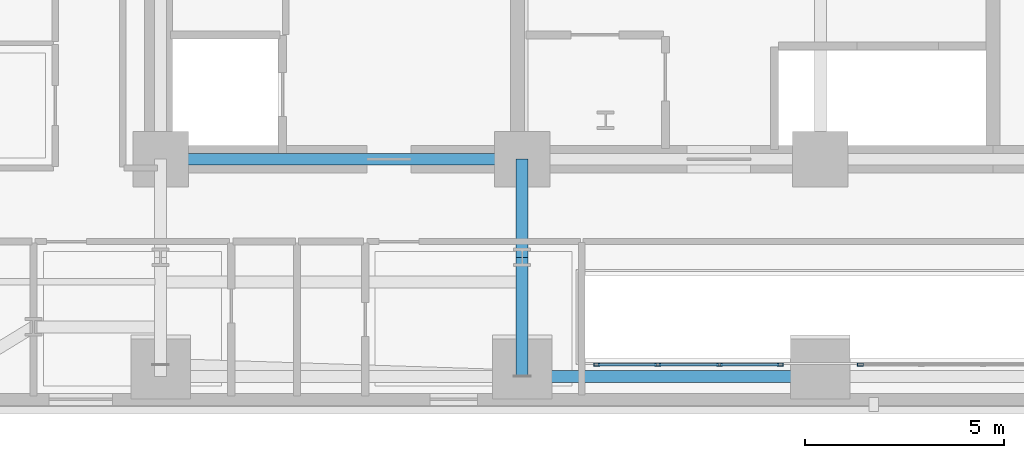
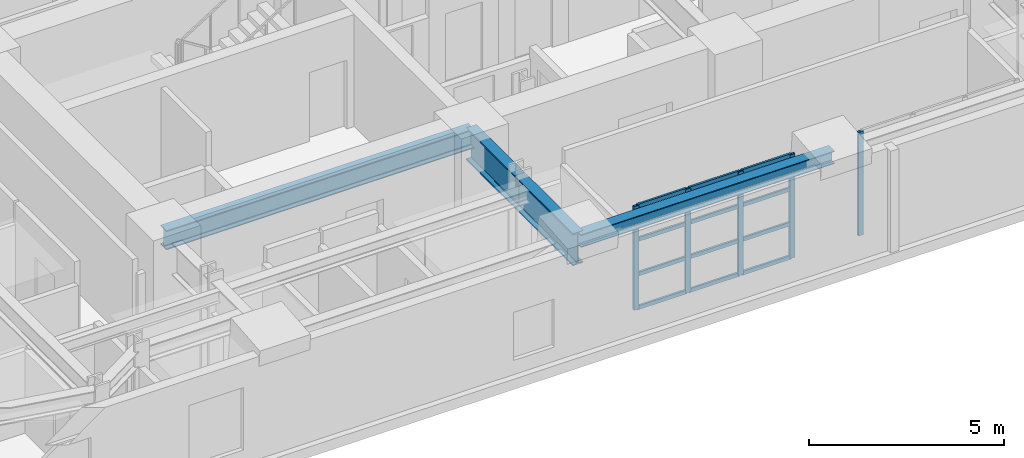
# One storey, part 2 of 16: 17 members, 4 beams, 2 elements without a shape of their own.
"""IFC4 building model written with IfcOpenShell, lengths in metres."""

from ifc_helpers import new_model, si_unit, direction, frame, origin, origin_2d, place, context, subcontext, project, spatial, hollow_rectangle, i_section, extrude, material, layer, layer_set, material_profile, profile_set, type_object, element, aggregate, save


model = new_model("IFC4")

# Units and contexts
model_context = context("Model", 3, precision=1e-05, world=origin(), true_north=direction((0.0, 1.0)))
body_context = subcontext(model_context, "Body", "Model", "MODEL_VIEW")
ifc_project = project(units=[si_unit("LENGTHUNIT", "METRE"), si_unit("AREAUNIT", "SQUARE_METRE"), si_unit("VOLUMEUNIT", "CUBIC_METRE"), si_unit("PLANEANGLEUNIT", "RADIAN"), si_unit("MASSUNIT", "GRAM", prefix="KILO")], contexts=[model_context])

# Site, building, storey
site_placement = place(None, origin())
site = spatial("IfcSite", under=ifc_project, at=site_placement, CompositionType="ELEMENT")
building_placement = place(site_placement, origin())
building = spatial("IfcBuilding", under=site, at=building_placement, Name="Zarnavel Station Tower", CompositionType="ELEMENT")
storey_placement = place(building_placement, frame((0.0, 0.0, 39.5)))
storey = spatial("IfcBuildingStorey", under=building, at=storey_placement, Name="L10", CompositionType="ELEMENT", Elevation=39.5)

# Curtain wall, members
ifc_material_1 = material(Name="Aluminium Dark Anodised and Solar-Control Glass", Category="aluminium")
ifc_layer = layer(ifc_material_1, 0.179931640625)
ifc_layer_set = layer_set([ifc_layer], Name="CWS2")
curtain_wall_type = type_object("IfcCurtainWallType", Name="CWS2", PredefinedType="NOTDEFINED", material=ifc_layer_set)
curtain_wall_1_placement = place(storey_placement, origin())
curtain_wall_1 = element("IfcCurtainWall", 1, at=curtain_wall_1_placement, inside=storey, type_object=curtain_wall_type, Name="L10 Curtain Wall CWS2-L10-AS-S1", PredefinedType="NOTDEFINED")
ifc_material_2 = material(Name="Steel S355J2 (Black Fluoropolymer Coated)", Category="steel")
ifc_material_profile_1 = material_profile(ifc_material_2, hollow_rectangle(XDim=0.074951171875, YDim=0.14990234375, WallThickness=0.00634765625, at=origin_2d()), Name="RHS150x75x6.3")
ifc_profile_set_1 = profile_set([ifc_material_profile_1], Name="Steel S355J2 (Black Fluoropolymer Coated)")
member_type_1 = type_object("IfcMemberType", Name="CWS2_MUL", PredefinedType="MULLION", material=ifc_profile_set_1)
member_1_placement = place(storey_placement, frame((23.179931640625, 22.64990234375, 0.0), z_axis=(0.0, 0.0, 1.0), x_axis=(0.0, 1.0, 0.0)))
member_1 = element("IfcMember", 2, at=member_1_placement, type_object=member_type_1, Name="CW2 mullion 1", PredefinedType="MULLION", context=body_context, shape_type="SweptSolid", body=[
    extrude(hollow_rectangle(XDim=0.074951171875, YDim=0.14990234375, WallThickness=0.00634765625, at=origin_2d()), origin(), (0.0, 0.0, 1.0), 3.239990234375),
])
member_2_placement = place(storey_placement, frame((24.706787109375, 22.64990234375, 0.0), z_axis=(0.0, 0.0, 1.0), x_axis=(0.0, 1.0, 0.0)))
member_2 = element("IfcMember", 3, at=member_2_placement, type_object=member_type_1, Name="CW2 mullion 2", PredefinedType="MULLION", context=body_context, shape_type="SweptSolid", body=[
    extrude(hollow_rectangle(XDim=0.074951171875, YDim=0.14990234375, WallThickness=0.00634765625, at=origin_2d()), origin(), (0.0, 0.0, 1.0), 3.239990234375),
])
member_3_placement = place(storey_placement, frame((26.263427734375, 22.64990234375, 0.0), z_axis=(0.0, 0.0, 1.0), x_axis=(0.0, 1.0, 0.0)))
member_3 = element("IfcMember", 4, at=member_3_placement, type_object=member_type_1, Name="CW2 mullion 3", PredefinedType="MULLION", context=body_context, shape_type="SweptSolid", body=[
    extrude(hollow_rectangle(XDim=0.074951171875, YDim=0.14990234375, WallThickness=0.00634765625, at=origin_2d()), origin(), (0.0, 0.0, 1.0), 3.239990234375),
])
member_4_placement = place(storey_placement, frame((27.7900390625, 22.64990234375, 0.0), z_axis=(0.0, 0.0, 1.0), x_axis=(0.0, 1.0, 0.0)))
member_4 = element("IfcMember", 5, at=member_4_placement, type_object=member_type_1, Name="CW2 mullion 4", PredefinedType="MULLION", context=body_context, shape_type="SweptSolid", body=[
    extrude(hollow_rectangle(XDim=0.074951171875, YDim=0.14990234375, WallThickness=0.00634765625, at=origin_2d()), origin(), (0.0, 0.0, 1.0), 3.239990234375),
])

# Curtain wall, member
curtain_wall_2_placement = place(storey_placement, origin())
curtain_wall_2 = element("IfcCurtainWall", 6, at=curtain_wall_2_placement, inside=storey, type_object=curtain_wall_type, Name="L10 Curtain Wall CWS2-L10-AS-S2", PredefinedType="NOTDEFINED")
member_5_placement = place(storey_placement, frame((29.81005859375, 22.64990234375, 0.0), z_axis=(0.0, 0.0, 1.0), x_axis=(0.0, 1.0, 0.0)))
member_5 = element("IfcMember", 7, at=member_5_placement, type_object=member_type_1, Name="CW2 mullion 1", PredefinedType="MULLION", context=body_context, shape_type="SweptSolid", body=[
    extrude(hollow_rectangle(XDim=0.074951171875, YDim=0.14990234375, WallThickness=0.00634765625, at=origin_2d()), origin(), (0.0, 0.0, 1.0), 3.239990234375),
])
aggregate(curtain_wall_2, [member_5])

# Member
ifc_material_3 = material(Name="Steel S355J2 (Black Fluoropolymer Coated)", Category="steel")
ifc_material_profile_2 = material_profile(ifc_material_3, hollow_rectangle(XDim=0.06005859375, YDim=0.1201171875, WallThickness=0.0048828125, at=origin_2d()), Name="RHS120x60x5")
ifc_profile_set_2 = profile_set([ifc_material_profile_2], Name="Steel S355J2 (Black Fluoropolymer Coated)")
member_type_2 = type_object("IfcMemberType", Name="CWS2_TRN", PredefinedType="USERDEFINED", material=ifc_profile_set_2)
member_6_placement = place(storey_placement, frame((23.2099609375, 22.64990234375, 0.030029296875), z_axis=(1.0, 0.0, 0.0), x_axis=(0.0, 1.0, 0.0)))
member_6 = element("IfcMember", 8, at=member_6_placement, type_object=member_type_2, Name="CW2 transom 1.1", ObjectType="TRANSOM", PredefinedType="USERDEFINED", context=body_context, shape_type="SweptSolid", body=[
    extrude(hollow_rectangle(XDim=0.06005859375, YDim=0.1201171875, WallThickness=0.0048828125, at=origin_2d()), origin(), (0.0, 0.0, 1.0), 1.466796875),
])

member_7_placement = place(storey_placement, frame((23.2099609375, 22.64990234375, 1.080078125), z_axis=(1.0, 0.0, 0.0), x_axis=(0.0, 1.0, 0.0)))
member_7 = element("IfcMember", 9, at=member_7_placement, type_object=member_type_2, Name="CW2 transom 1.2", ObjectType="TRANSOM", PredefinedType="USERDEFINED", context=body_context, shape_type="SweptSolid", body=[
    extrude(hollow_rectangle(XDim=0.06005859375, YDim=0.1201171875, WallThickness=0.0048828125, at=origin_2d()), origin(), (0.0, 0.0, 1.0), 1.466796875),
])

member_8_placement = place(storey_placement, frame((23.2099609375, 22.64990234375, 2.159912109375), z_axis=(1.0, 0.0, 0.0), x_axis=(0.0, 1.0, 0.0)))
member_8 = element("IfcMember", 10, at=member_8_placement, type_object=member_type_2, Name="CW2 transom 1.3", ObjectType="TRANSOM", PredefinedType="USERDEFINED", context=body_context, shape_type="SweptSolid", body=[
    extrude(hollow_rectangle(XDim=0.06005859375, YDim=0.1201171875, WallThickness=0.0048828125, at=origin_2d()), origin(), (0.0, 0.0, 1.0), 1.466796875),
])

member_9_placement = place(storey_placement, frame((23.2099609375, 22.64990234375, 3.2099609375), z_axis=(1.0, 0.0, 0.0), x_axis=(0.0, 1.0, 0.0)))
member_9 = element("IfcMember", 11, at=member_9_placement, type_object=member_type_2, Name="CW2 transom 1.4", ObjectType="TRANSOM", PredefinedType="USERDEFINED", context=body_context, shape_type="SweptSolid", body=[
    extrude(hollow_rectangle(XDim=0.06005859375, YDim=0.1201171875, WallThickness=0.0048828125, at=origin_2d()), origin(), (0.0, 0.0, 1.0), 1.466796875),
])

member_10_placement = place(storey_placement, frame((24.736572265625, 22.64990234375, 0.030029296875), z_axis=(1.0, 0.0, 0.0), x_axis=(0.0, 1.0, 0.0)))
member_10 = element("IfcMember", 12, at=member_10_placement, type_object=member_type_2, Name="CW2 transom 2.1", ObjectType="TRANSOM", PredefinedType="USERDEFINED", context=body_context, shape_type="SweptSolid", body=[
    extrude(hollow_rectangle(XDim=0.06005859375, YDim=0.1201171875, WallThickness=0.0048828125, at=origin_2d()), origin(), (0.0, 0.0, 1.0), 1.496826171875),
])

member_11_placement = place(storey_placement, frame((24.736572265625, 22.64990234375, 1.080078125), z_axis=(1.0, 0.0, 0.0), x_axis=(0.0, 1.0, 0.0)))
member_11 = element("IfcMember", 13, at=member_11_placement, type_object=member_type_2, Name="CW2 transom 2.2", ObjectType="TRANSOM", PredefinedType="USERDEFINED", context=body_context, shape_type="SweptSolid", body=[
    extrude(hollow_rectangle(XDim=0.06005859375, YDim=0.1201171875, WallThickness=0.0048828125, at=origin_2d()), origin(), (0.0, 0.0, 1.0), 1.496826171875),
])

member_12_placement = place(storey_placement, frame((24.736572265625, 22.64990234375, 2.159912109375), z_axis=(1.0, 0.0, 0.0), x_axis=(0.0, 1.0, 0.0)))
member_12 = element("IfcMember", 14, at=member_12_placement, type_object=member_type_2, Name="CW2 transom 2.3", ObjectType="TRANSOM", PredefinedType="USERDEFINED", context=body_context, shape_type="SweptSolid", body=[
    extrude(hollow_rectangle(XDim=0.06005859375, YDim=0.1201171875, WallThickness=0.0048828125, at=origin_2d()), origin(), (0.0, 0.0, 1.0), 1.496826171875),
])

member_13_placement = place(storey_placement, frame((24.736572265625, 22.64990234375, 3.2099609375), z_axis=(1.0, 0.0, 0.0), x_axis=(0.0, 1.0, 0.0)))
member_13 = element("IfcMember", 15, at=member_13_placement, type_object=member_type_2, Name="CW2 transom 2.4", ObjectType="TRANSOM", PredefinedType="USERDEFINED", context=body_context, shape_type="SweptSolid", body=[
    extrude(hollow_rectangle(XDim=0.06005859375, YDim=0.1201171875, WallThickness=0.0048828125, at=origin_2d()), origin(), (0.0, 0.0, 1.0), 1.496826171875),
])

member_14_placement = place(storey_placement, frame((26.293212890625, 22.64990234375, 0.030029296875), z_axis=(1.0, 0.0, 0.0), x_axis=(0.0, 1.0, 0.0)))
member_14 = element("IfcMember", 16, at=member_14_placement, type_object=member_type_2, Name="CW2 transom 3.1", ObjectType="TRANSOM", PredefinedType="USERDEFINED", context=body_context, shape_type="SweptSolid", body=[
    extrude(hollow_rectangle(XDim=0.06005859375, YDim=0.1201171875, WallThickness=0.0048828125, at=origin_2d()), origin(), (0.0, 0.0, 1.0), 1.466796875),
])

member_15_placement = place(storey_placement, frame((26.293212890625, 22.64990234375, 1.080078125), z_axis=(1.0, 0.0, 0.0), x_axis=(0.0, 1.0, 0.0)))
member_15 = element("IfcMember", 17, at=member_15_placement, type_object=member_type_2, Name="CW2 transom 3.2", ObjectType="TRANSOM", PredefinedType="USERDEFINED", context=body_context, shape_type="SweptSolid", body=[
    extrude(hollow_rectangle(XDim=0.06005859375, YDim=0.1201171875, WallThickness=0.0048828125, at=origin_2d()), origin(), (0.0, 0.0, 1.0), 1.466796875),
])

member_16_placement = place(storey_placement, frame((26.293212890625, 22.64990234375, 2.159912109375), z_axis=(1.0, 0.0, 0.0), x_axis=(0.0, 1.0, 0.0)))
member_16 = element("IfcMember", 18, at=member_16_placement, type_object=member_type_2, Name="CW2 transom 3.3", ObjectType="TRANSOM", PredefinedType="USERDEFINED", context=body_context, shape_type="SweptSolid", body=[
    extrude(hollow_rectangle(XDim=0.06005859375, YDim=0.1201171875, WallThickness=0.0048828125, at=origin_2d()), origin(), (0.0, 0.0, 1.0), 1.466796875),
])

member_17_placement = place(storey_placement, frame((26.293212890625, 22.64990234375, 3.2099609375), z_axis=(1.0, 0.0, 0.0), x_axis=(0.0, 1.0, 0.0)))
member_17 = element("IfcMember", 19, at=member_17_placement, type_object=member_type_2, Name="CW2 transom 3.4", ObjectType="TRANSOM", PredefinedType="USERDEFINED", context=body_context, shape_type="SweptSolid", body=[
    extrude(hollow_rectangle(XDim=0.06005859375, YDim=0.1201171875, WallThickness=0.0048828125, at=origin_2d()), origin(), (0.0, 0.0, 1.0), 1.466796875),
])

aggregate(curtain_wall_1, [member_1, member_2, member_3, member_4, member_6, member_7, member_8, member_9, member_10, member_11, member_12, member_13, member_14, member_15, member_16, member_17])

# Beams
ifc_material_4 = material(Name="Steel S355J2", Category="steel")
ifc_material_profile_3 = material_profile(ifc_material_4, i_section(OverallWidth=0.300048828125, OverallDepth=0.39990234375, WebThickness=0.013427734375, FlangeThickness=0.02392578125, FilletRadius=0.027099609375, at=origin_2d()), Name="HEB400")
ifc_profile_set_3 = profile_set([ifc_material_profile_3], Name="Steel S355J2")
beam_type_1 = type_object("IfcBeamType", Name="EB_HEB400", PredefinedType="SPANDREL", material=ifc_profile_set_3)
beam_1_placement = place(storey_placement, frame((21.300048828125, 22.35498046875, 3.0400390625), z_axis=(1.0, 0.0, 0.0), x_axis=(0.0, 1.0, 0.0)))
element("IfcBeam", 20, at=beam_1_placement, inside=storey, type_object=beam_type_1, Name="L10 South Raked Spandrel 2", PredefinedType="SPANDREL", context=body_context, shape_type="SweptSolid", body=[
    extrude(i_section(OverallWidth=0.300048828125, OverallDepth=0.39990234375, WebThickness=0.013427734375, FlangeThickness=0.02392578125, FilletRadius=0.027099609375, at=origin_2d()), origin(), (0.0, 0.0, 1.0), 7.5),
])
ifc_material_5 = material(Name="Steel S355J2", Category="steel")
ifc_material_profile_4 = material_profile(ifc_material_5, i_section(OverallWidth=0.300048828125, OverallDepth=0.60009765625, WebThickness=0.015380859375, FlangeThickness=0.030029296875, FilletRadius=0.027099609375, at=origin_2d()), Name="HEB600")
ifc_profile_set_4 = profile_set([ifc_material_profile_4], Name="Steel S355J2")
beam_type_2 = type_object("IfcBeamType", Name="FG_HEB600", PredefinedType="USERDEFINED", material=ifc_profile_set_4)
beam_2_placement = place(storey_placement, frame((12.199951171875, 27.820068359375, 2.93994140625), z_axis=(1.0, 0.0, 0.0), x_axis=(0.0, 1.0, 0.0)))
element("IfcBeam", 21, at=beam_2_placement, inside=storey, type_object=beam_type_2, Name="L10 Core Front Coupling Beam 1", ObjectType="GIRDER", PredefinedType="USERDEFINED", context=body_context, shape_type="SweptSolid", body=[
    extrude(i_section(OverallWidth=0.300048828125, OverallDepth=0.60009765625, WebThickness=0.015380859375, FlangeThickness=0.030029296875, FilletRadius=0.027099609375, at=origin_2d()), origin(), (0.0, 0.0, 1.0), 9.10009765625),
])
ifc_material_6 = material(Name="Steel S460M", Category="steel")
ifc_material_profile_5 = material_profile(ifc_material_6, i_section(OverallWidth=0.302001953125, OverallDepth=1.008056640625, WebThickness=0.02099609375, FlangeThickness=0.0400390625, FilletRadius=0.030029296875, at=origin_2d()), Name="HEM1000")
ifc_profile_set_5 = profile_set([ifc_material_profile_5], Name="Steel S460M")
beam_type_3 = type_object("IfcBeamType", Name="TG_HEM1000", PredefinedType="USERDEFINED", material=ifc_profile_set_5)
beam_3_placement = place(storey_placement, frame((21.300048828125, 22.35498046875, 2.736083984375), z_axis=(0.0, 1.0, 0.0), x_axis=(-1.0, 0.0, 0.0)))
element("IfcBeam", 22, at=beam_3_placement, inside=storey, type_object=beam_type_3, Name="L10 South-Zone NS Girder 2", ObjectType="GIRDER", PredefinedType="USERDEFINED", context=body_context, shape_type="SweptSolid", body=[
    extrude(i_section(OverallWidth=0.302001953125, OverallDepth=1.008056640625, WebThickness=0.02099609375, FlangeThickness=0.0400390625, FilletRadius=0.030029296875, at=origin_2d()), origin(), (0.0, 0.0, 1.0), 2.9951171875),
])
beam_4_placement = place(storey_placement, frame((21.300048828125, 25.35009765625, 2.736083984375), z_axis=(0.0, 1.0, 0.0), x_axis=(-1.0, 0.0, 0.0)))
element("IfcBeam", 23, at=beam_4_placement, inside=storey, type_object=beam_type_3, Name="L10 Inner-Zone NS Girder 2", ObjectType="GIRDER", PredefinedType="USERDEFINED", context=body_context, shape_type="SweptSolid", body=[
    extrude(i_section(OverallWidth=0.302001953125, OverallDepth=1.008056640625, WebThickness=0.02099609375, FlangeThickness=0.0400390625, FilletRadius=0.030029296875, at=origin_2d()), origin(), (0.0, 0.0, 1.0), 2.469970703125),
])

save(model, "model.ifc")
